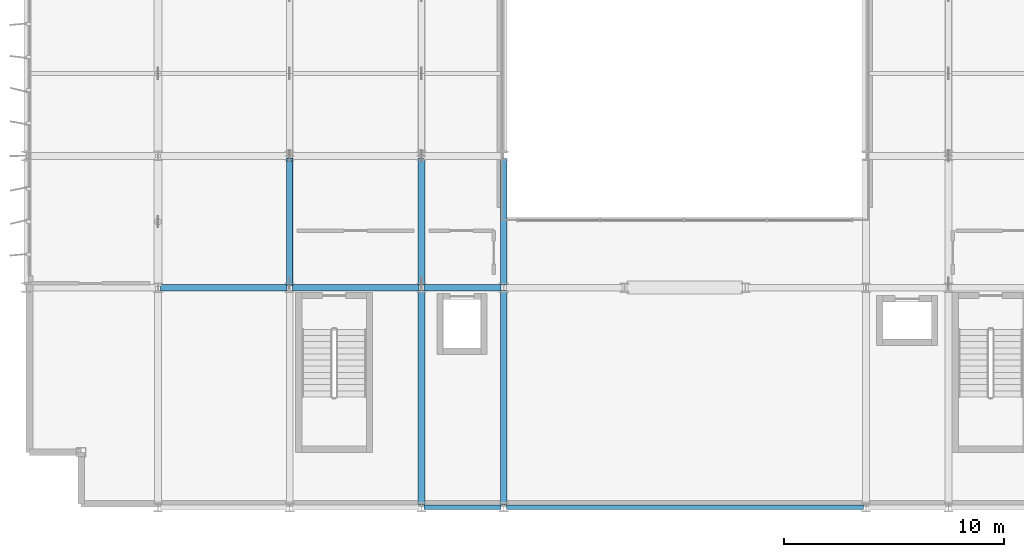
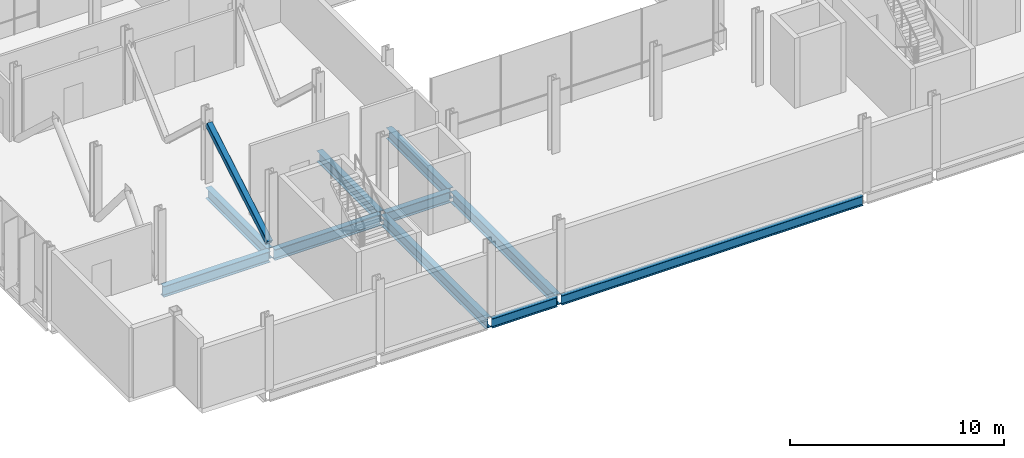
# One storey, part 3 of 32: 10 beams, 1 member.
"""IFC4 building model written with IfcOpenShell, lengths in metres."""

import ifcopenshell
import ifcopenshell.guid

model = None  # the IFC model being written
_history = None  # IfcOwnerHistory: only IFC2X3 demands one
_inside = {}  # id of a spatial element -> (the spatial element, [elements in it])
_under = {}  # id of a project, library or spatial element -> (it, [spatial elements below it])
_declared = {}  # id of a project -> (the project, [libraries it declares])
_typed = {}  # id of a type object -> (the type object, [elements of that type])
_made_of = {}  # id of a material, layer set ... -> (it, [elements and type objects made of it])


def new_model(schema):
    """Start an empty IFC model of exactly this schema.

    Asked for "IFC4X3", IfcOpenShell would pick the latest addendum, in which some entities
    have other attributes; the version numbers below select the first issue.
    IFC2X3 requires an IfcOwnerHistory on every rooted entity: one is made here for all.
    """
    global model, _history
    if schema == "IFC4X3":
        model = ifcopenshell.file(schema_version=(4, 3, 0, 0))
    else:
        model = ifcopenshell.file(schema=schema)
    _inside.clear()
    _under.clear()
    _declared.clear()
    _typed.clear()
    _made_of.clear()
    _history = None
    if model.schema == "IFC2X3":
        org = make("IfcOrganization", Name="unknown")
        user = make(
            "IfcPersonAndOrganization",
            ThePerson=make("IfcPerson", FamilyName="unknown"),
            TheOrganization=org,
        )
        app = make(
            "IfcApplication",
            ApplicationDeveloper=org,
            Version="unknown",
            ApplicationFullName="unknown",
            ApplicationIdentifier="unknown",
        )
        _history = make(
            "IfcOwnerHistory",
            OwningUser=user,
            OwningApplication=app,
            ChangeAction="ADDED",
            CreationDate=0,
        )
    return model


def make(cls, **values):
    """One entity of the class cls with the attributes given. An attribute that is None is left unset."""
    return model.create_entity(
        cls, **{name: value for name, value in values.items() if value is not None}
    )


def rooted(cls, **values):
    """An entity with a GlobalId (a new one), such as an element, a storey or a relation."""
    return make(cls, GlobalId=ifcopenshell.guid.new(), OwnerHistory=_history, **values)


def si_unit(unit_type, name, prefix=None):
    """IfcSIUnit, for example si_unit("LENGTHUNIT", "METRE", prefix="MILLI")."""
    return make("IfcSIUnit", UnitType=unit_type, Prefix=prefix, Name=name)


def assignment(units):
    """IfcUnitAssignment: the units of a project."""
    return None if units is None else make("IfcUnitAssignment", Units=units)


def point(xyz):
    """IfcCartesianPoint."""
    return None if xyz is None else make("IfcCartesianPoint", Coordinates=xyz)


def direction(xyz):
    """IfcDirection."""
    return None if xyz is None else make("IfcDirection", DirectionRatios=xyz)


def frame(location, z_axis=None, x_axis=None):
    """IfcAxis2Placement3D, a coordinate frame: its origin and axes. An axis left out is left unset."""
    return make(
        "IfcAxis2Placement3D",
        Location=point(location),
        Axis=direction(z_axis),
        RefDirection=direction(x_axis),
    )


def frame_2d(location, x_axis=None):
    """IfcAxis2Placement2D, a coordinate frame in the plane: its origin and x axis."""
    return make(
        "IfcAxis2Placement2D", Location=point(location), RefDirection=direction(x_axis)
    )


def origin():
    """The frame at (0, 0, 0) with its axes left unset."""
    return frame((0.0, 0.0, 0.0))


def origin_2d():
    """The frame at (0, 0) in the plane with its x axis left unset."""
    return frame_2d((0.0, 0.0))


def place(relative_to, where):
    """IfcLocalPlacement: puts the frame where relative to a parent placement (None: the world)."""
    return make(
        "IfcLocalPlacement", PlacementRelTo=relative_to, RelativePlacement=where
    )


def context(
    kind, dimensions, precision=None, world=None, true_north=None, identifier=None
):
    """IfcGeometricRepresentationContext, for example the 3D "Model" context."""
    return make(
        "IfcGeometricRepresentationContext",
        ContextIdentifier=identifier,
        ContextType=kind,
        CoordinateSpaceDimension=dimensions,
        Precision=precision,
        WorldCoordinateSystem=world,
        TrueNorth=true_north,
    )


def subcontext(parent, identifier, kind, view, scale=None):
    """IfcGeometricRepresentationSubContext, for example "Body" below "Model"."""
    return make(
        "IfcGeometricRepresentationSubContext",
        ContextIdentifier=identifier,
        ContextType=kind,
        ParentContext=parent,
        TargetScale=scale,
        TargetView=view,
    )


def project(units=None, contexts=None):
    """IfcProject with its units and contexts."""
    return rooted(
        "IfcProject",
        Name="project",
        RepresentationContexts=contexts,
        UnitsInContext=assignment(units),
    )


def spatial(cls, under=None, at=None, **own):
    """A site, building, storey or space (cls), placed at a placement, below another one or the project."""
    s = rooted(cls, ObjectPlacement=at, **own)
    if under is not None:
        _under.setdefault(under.id(), (under, []))[1].append(s)
    return s


def profile(cls, at=None, kind="AREA", **sizes):
    """A parametric profile (cls). Its sizes go by their IFC names, for example OverallWidth=200.0."""
    return make(cls, ProfileType=kind, Position=at, **sizes)


def hollow_rectangle(**sizes):
    """IfcRectangleHollowProfileDef."""
    return profile("IfcRectangleHollowProfileDef", **sizes)


def i_section(**sizes):
    """IfcIShapeProfileDef."""
    return profile("IfcIShapeProfileDef", **sizes)


def extrude(swept, where, along, depth):
    """IfcExtrudedAreaSolid: the profile swept, set in the frame where, extruded along a direction by depth."""
    return make(
        "IfcExtrudedAreaSolid",
        SweptArea=swept,
        Position=where,
        ExtrudedDirection=direction(along),
        Depth=depth,
    )


def shape(context_of_items, identifier, shape_type, items):
    """IfcShapeRepresentation: the items that make up one representation, for example the "Body"."""
    return make(
        "IfcShapeRepresentation",
        ContextOfItems=context_of_items,
        RepresentationIdentifier=identifier,
        RepresentationType=shape_type,
        Items=items,
    )


def material(Name=None, Category=None):
    """IfcMaterial."""
    return make("IfcMaterial", Name=Name, Category=Category)


def material_profile(
    of_material, cross_section, Name=None, Category=None, Priority=None
):
    """IfcMaterialProfile: a cross section and its material."""
    return make(
        "IfcMaterialProfile",
        Name=Name,
        Material=of_material,
        Profile=cross_section,
        Priority=Priority,
        Category=Category,
    )


def profile_set(profiles, Name=None, composite=None):
    """IfcMaterialProfileSet."""
    return make(
        "IfcMaterialProfileSet",
        Name=Name,
        MaterialProfiles=profiles,
        CompositeProfile=composite,
    )


def made_of(thing, what):
    """Note that an element or type object is made of a material, layer set ...; save() writes the relation."""
    if what is not None:
        _made_of.setdefault(what.id(), (what, []))[1].append(thing)
    return thing


def type_object(cls, material=None, **own):
    """A type object (cls), such as IfcWallType, which elements share."""
    return made_of(rooted(cls, **own), material)


def element(
    cls,
    number,
    at=None,
    inside=None,
    cuts=None,
    type_object=None,
    material=None,
    context=None,
    identifier="Body",
    shape_type=None,
    held_by="IfcProductDefinitionShape",
    body=None,
    shapes=None,
    **own,
):
    """One element of the class cls, such as IfcWall. Its Tag is "e" and its number.

    at: its placement. inside: the storey or other place that contains it. cuts: it is an
    opening in that element (IfcRelVoidsElement). A single representation is given by context,
    identifier, shape_type and body (its items); several are given by shapes. held_by: the class
    of the entity that holds the representations. save() writes the other relations.
    """
    e = rooted(cls, Tag="e%d" % number, ObjectPlacement=at, **own)
    if body is not None:
        shapes = [shape(context, identifier, shape_type, body)]
    if shapes is not None:
        e.Representation = make(held_by, Representations=shapes)
    if inside is not None:
        _inside.setdefault(inside.id(), (inside, []))[1].append(e)
    if cuts is not None:
        rooted(
            "IfcRelVoidsElement", RelatingBuildingElement=cuts, RelatedOpeningElement=e
        )
    if type_object is not None:
        _typed.setdefault(type_object.id(), (type_object, []))[1].append(e)
    return made_of(e, material)


def aggregate(whole, parts):
    """IfcRelAggregates: a whole, such as a stair, and the parts it consists of."""
    return rooted("IfcRelAggregates", RelatingObject=whole, RelatedObjects=parts)


def save(model, path):
    """Write the relations noted so far, then the file.

    IfcRelAggregates (storeys below a building ...), IfcRelContainedInSpatialStructure (elements
    in a storey), IfcRelDefinesByType, IfcRelAssociatesMaterial and IfcRelDeclares: one each for
    every whole, place, type object, material and project.
    """
    for whole, parts in _under.values():
        aggregate(whole, parts)
    for where, things in _inside.values():
        rooted(
            "IfcRelContainedInSpatialStructure",
            RelatedElements=things,
            RelatingStructure=where,
        )
    for kind, things in _typed.values():
        rooted("IfcRelDefinesByType", RelatedObjects=things, RelatingType=kind)
    for what, things in _made_of.values():
        rooted("IfcRelAssociatesMaterial", RelatedObjects=things, RelatingMaterial=what)
    for by, libraries in _declared.values():
        rooted("IfcRelDeclares", RelatingContext=by, RelatedDefinitions=libraries)
    model.write(path)


model = new_model("IFC4")

# Units and contexts
model_context = context("Model", 3, precision=1e-05, world=origin(), true_north=direction((0.0, 1.0)))
body_context = subcontext(model_context, "Body", "Model", "MODEL_VIEW")
ifc_project = project(units=[si_unit("LENGTHUNIT", "METRE"), si_unit("AREAUNIT", "SQUARE_METRE"), si_unit("VOLUMEUNIT", "CUBIC_METRE"), si_unit("PLANEANGLEUNIT", "RADIAN"), si_unit("MASSUNIT", "GRAM", prefix="KILO")], contexts=[model_context])

# Site, building, storey
site_placement = place(None, origin())
site = spatial("IfcSite", under=ifc_project, at=site_placement, CompositionType="ELEMENT")
building_placement = place(site_placement, origin())
building = spatial("IfcBuilding", under=site, at=building_placement, Name="Brevholm Reach", CompositionType="ELEMENT")
storey_placement = place(building_placement, frame((0.0, 0.0, 96.199951171875)))
storey = spatial("IfcBuildingStorey", under=building, at=storey_placement, Name="L28", CompositionType="ELEMENT", Elevation=96.199951171875)

# Beams
ifc_material_1 = material(Name="Structural Steel S355J2", Category="steel")
ifc_material_profile_1 = material_profile(ifc_material_1, i_section(OverallWidth=0.210693359375, OverallDepth=0.53955078125, WebThickness=0.01171875, FlangeThickness=0.018798828125, FilletRadius=0.0126953125, at=origin_2d()), Name="UKB 533x210x109")
ifc_profile_set_1 = profile_set([ifc_material_profile_1], Name="Structural Steel S355J2")
beam_type_1 = type_object("IfcBeamType", Name="BM-SP539", PredefinedType="SPANDREL", material=ifc_profile_set_1)
beam_1_placement = place(storey_placement, frame((18.1201171875, 0.0, -0.52978515625), z_axis=(1.0, 0.0, 0.0), x_axis=(0.0, 1.0, 0.0)))
element("IfcBeam", 1, at=beam_1_placement, inside=storey, type_object=beam_type_1, Name="L28 SP-01B Framing Beam", PredefinedType="SPANDREL", context=body_context, shape_type="SweptSolid", body=[
    extrude(i_section(OverallWidth=0.210693359375, OverallDepth=0.53955078125, WebThickness=0.01171875, FlangeThickness=0.018798828125, FilletRadius=0.0126953125, at=origin_2d()), origin(), (0.0, 0.0, 1.0), 3.509765625),
])
beam_2_placement = place(storey_placement, frame((21.8701171875, 0.0, -0.52978515625), z_axis=(1.0, 0.0, 0.0), x_axis=(0.0, 1.0, 0.0)))
element("IfcBeam", 2, at=beam_2_placement, inside=storey, type_object=beam_type_1, Name="L28 SP-01B Framing Beam", PredefinedType="SPANDREL", context=body_context, shape_type="SweptSolid", body=[
    extrude(i_section(OverallWidth=0.210693359375, OverallDepth=0.53955078125, WebThickness=0.01171875, FlangeThickness=0.018798828125, FilletRadius=0.0126953125, at=origin_2d()), origin(), (0.0, 0.0, 1.0), 16.259765625),
])
ifc_material_2 = material(Name="Structural Steel S355J2", Category="steel")
ifc_material_profile_2 = material_profile(ifc_material_2, i_section(OverallWidth=0.30712890625, OverallDepth=0.6201171875, WebThickness=0.01416015625, FlangeThickness=0.023681640625, FilletRadius=0.0166015625, at=origin_2d()), Name="UKB 610x305x179")
ifc_profile_set_2 = profile_set([ifc_material_profile_2], Name="Structural Steel S355J2")
beam_type_2 = type_object("IfcBeamType", Name="BM-UKB610H", PredefinedType="USERDEFINED", material=ifc_profile_set_2)
for number, where, z_axis, x_axis, name in (
    (3, (6.1201171875, 10.0, -0.570068359375), (1.0, 0.0, 0.0), (0.0, 1.0, 0.0), "L28 G-06 Framing Beam"),
    (4, (12.1201171875, 10.0, -0.570068359375), (1.0, 0.0, 0.0), (0.0, 1.0, 0.0), "L28 G-06 Framing Beam"),
):
    element("IfcBeam", number, at=place(storey_placement, frame(where, z_axis=z_axis, x_axis=x_axis)), inside=storey, type_object=beam_type_2, Name=name, ObjectType="GIRDER", PredefinedType="USERDEFINED", context=body_context, shape_type="SweptSolid", body=[
        extrude(i_section(OverallWidth=0.30712890625, OverallDepth=0.6201171875, WebThickness=0.01416015625, FlangeThickness=0.023681640625, FilletRadius=0.0166015625, at=origin_2d()), origin(), (0.0, 0.0, 1.0), 5.759765625),
    ])
beam_3_placement = place(storey_placement, frame((18.1201171875, 10.0, -0.570068359375), z_axis=(1.0, 0.0, 0.0), x_axis=(0.0, 1.0, 0.0)))
element("IfcBeam", 5, at=beam_3_placement, inside=storey, type_object=beam_type_2, Name="L28 G-06 Framing Beam", ObjectType="GIRDER", PredefinedType="USERDEFINED", context=body_context, shape_type="SweptSolid", body=[
    extrude(i_section(OverallWidth=0.30712890625, OverallDepth=0.6201171875, WebThickness=0.01416015625, FlangeThickness=0.023681640625, FilletRadius=0.0166015625, at=origin_2d()), origin(), (0.0, 0.0, 1.0), 3.509765625),
])
beam_4_placement = place(storey_placement, frame((12.0, 10.1201171875, -0.570068359375), z_axis=(0.0, 1.0, 0.0), x_axis=(-1.0, 0.0, 0.0)))
element("IfcBeam", 6, at=beam_4_placement, inside=storey, type_object=beam_type_2, Name="L28 G-06 Framing Beam", ObjectType="GIRDER", PredefinedType="USERDEFINED", context=body_context, shape_type="SweptSolid", body=[
    extrude(i_section(OverallWidth=0.30712890625, OverallDepth=0.6201171875, WebThickness=0.01416015625, FlangeThickness=0.023681640625, FilletRadius=0.0166015625, at=origin_2d()), origin(), (0.0, 0.0, 1.0), 5.759765625),
])
beam_5_placement = place(storey_placement, frame((18.0, 0.1201171875, -0.570068359375), z_axis=(0.0, 1.0, 0.0), x_axis=(-1.0, 0.0, 0.0)))
element("IfcBeam", 7, at=beam_5_placement, inside=storey, type_object=beam_type_2, Name="L28 G-06 Framing Beam", ObjectType="GIRDER", PredefinedType="USERDEFINED", context=body_context, shape_type="SweptSolid", body=[
    extrude(i_section(OverallWidth=0.30712890625, OverallDepth=0.6201171875, WebThickness=0.01416015625, FlangeThickness=0.023681640625, FilletRadius=0.0166015625, at=origin_2d()), origin(), (0.0, 0.0, 1.0), 9.759765625),
])
beam_6_placement = place(storey_placement, frame((18.0, 10.1201171875, -0.570068359375), z_axis=(0.0, 1.0, 0.0), x_axis=(-1.0, 0.0, 0.0)))
element("IfcBeam", 8, at=beam_6_placement, inside=storey, type_object=beam_type_2, Name="L28 G-06 Framing Beam", ObjectType="GIRDER", PredefinedType="USERDEFINED", context=body_context, shape_type="SweptSolid", body=[
    extrude(i_section(OverallWidth=0.30712890625, OverallDepth=0.6201171875, WebThickness=0.01416015625, FlangeThickness=0.023681640625, FilletRadius=0.0166015625, at=origin_2d()), origin(), (0.0, 0.0, 1.0), 5.759765625),
])
beam_7_placement = place(storey_placement, frame((21.75, 0.1201171875, -0.570068359375), z_axis=(0.0, 1.0, 0.0), x_axis=(-1.0, 0.0, 0.0)))
element("IfcBeam", 9, at=beam_7_placement, inside=storey, type_object=beam_type_2, Name="L28 G-06 Framing Beam", ObjectType="GIRDER", PredefinedType="USERDEFINED", context=body_context, shape_type="SweptSolid", body=[
    extrude(i_section(OverallWidth=0.30712890625, OverallDepth=0.6201171875, WebThickness=0.01416015625, FlangeThickness=0.023681640625, FilletRadius=0.0166015625, at=origin_2d()), origin(), (0.0, 0.0, 1.0), 9.759765625),
])
beam_8_placement = place(storey_placement, frame((21.75, 10.1201171875, -0.570068359375), z_axis=(0.0, 1.0, 0.0), x_axis=(-1.0, 0.0, 0.0)))
element("IfcBeam", 10, at=beam_8_placement, inside=storey, type_object=beam_type_2, Name="L28 G-06 Framing Beam", ObjectType="GIRDER", PredefinedType="USERDEFINED", context=body_context, shape_type="SweptSolid", body=[
    extrude(i_section(OverallWidth=0.30712890625, OverallDepth=0.6201171875, WebThickness=0.01416015625, FlangeThickness=0.023681640625, FilletRadius=0.0166015625, at=origin_2d()), origin(), (0.0, 0.0, 1.0), 5.759765625),
])

# Member
ifc_material_3 = material(Name="Structural Steel S460NH", Category="steel")
ifc_material_profile_3 = material_profile(ifc_material_3, hollow_rectangle(XDim=0.300048828125, YDim=0.300048828125, WallThickness=0.012451171875, InnerFilletRadius=0.011962890625, OuterFilletRadius=0.02392578125, at=origin_2d()), Name="SHS 300x300x12.5")
ifc_profile_set_3 = profile_set([ifc_material_profile_3], Name="Structural Steel S460NH")
member_type = type_object("IfcMemberType", Name="MEM-OB-SHS300", PredefinedType="BRACE", material=ifc_profile_set_3)
member_placement = place(storey_placement, frame((12.0, 10.169921875, 0.02001953125), z_axis=(0.0, 0.861717239727, 0.507388804327), x_axis=(-1.0, 0.0, 0.0)))
element("IfcMember", 11, at=member_placement, inside=storey, type_object=member_type, Name="L28 Outrigger Truss Diagonal X12.1", PredefinedType="BRACE", context=body_context, shape_type="SweptSolid", body=[
    extrude(hollow_rectangle(XDim=0.300048828125, YDim=0.300048828125, WallThickness=0.012451171875, InnerFilletRadius=0.011962890625, OuterFilletRadius=0.02392578125, at=origin_2d()), origin(), (0.0, 0.0, 1.0), 6.568359375),
])

save(model, "model.ifc")
